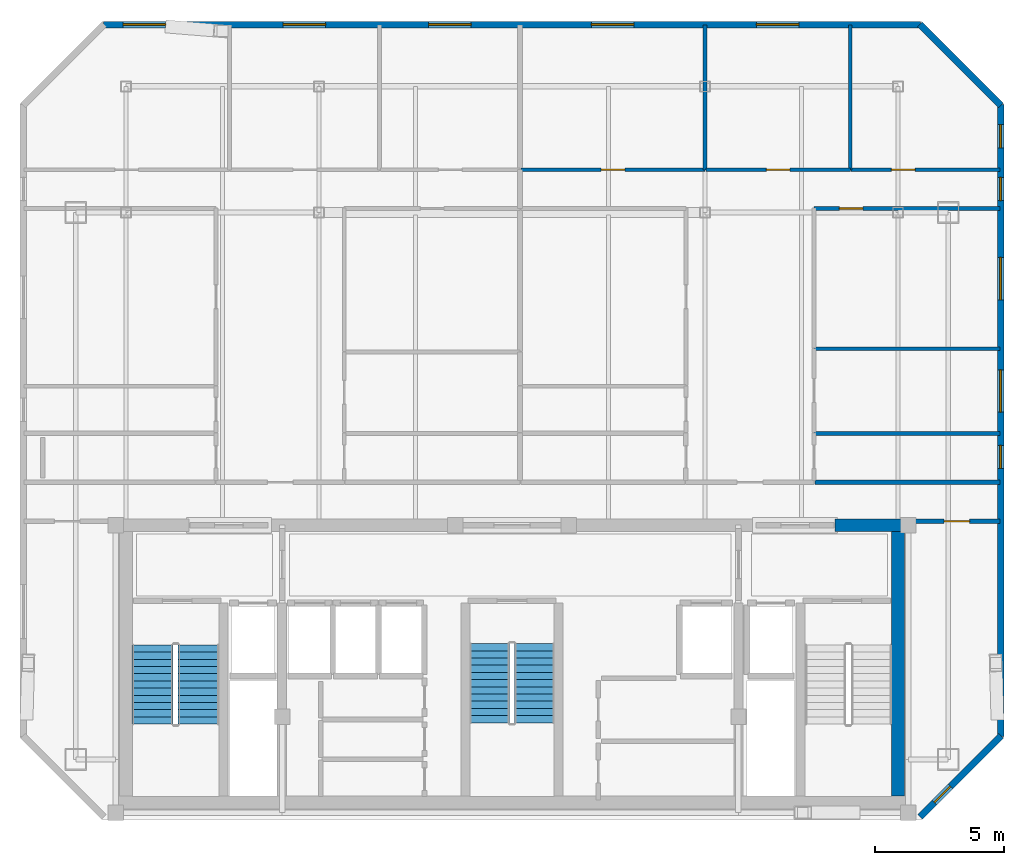
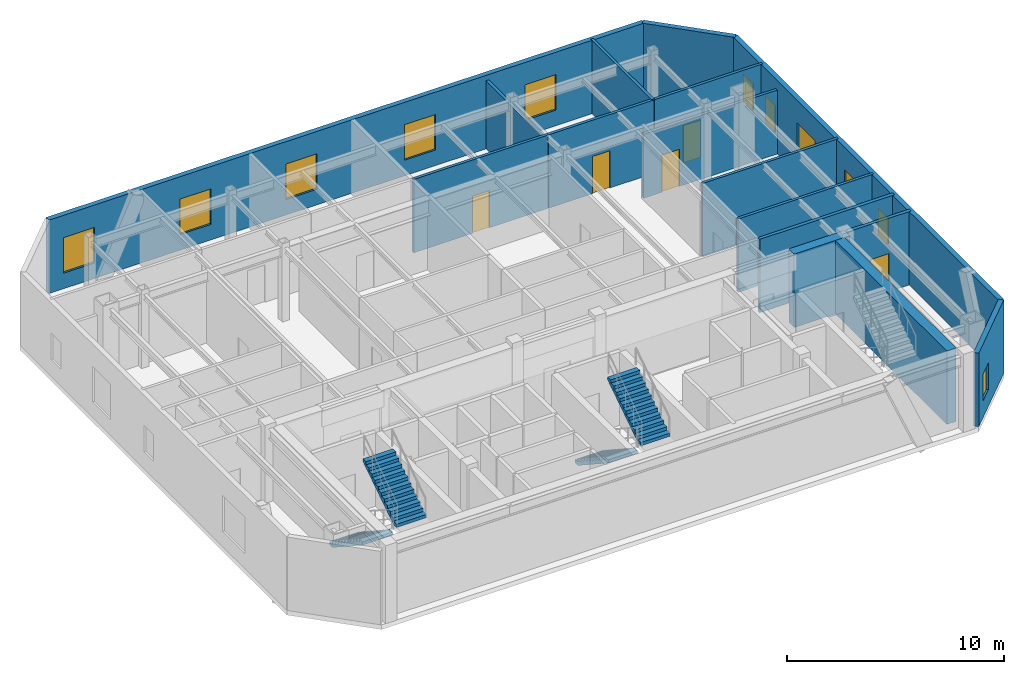
# One storey, part 5 of 7: 16 walls, 11 windows, 5 doors, 4 stair flights, 16 openings, 2 elements without a shape of their own.
"""IFC4 building model written with IfcOpenShell, lengths in metres."""

from ifc_helpers import new_model, si_unit, direction, frame, frame_2d, origin, place, context, subcontext, project, spatial, polyline, rectangle, outline, extrude, material, layer, layer_set, type_object, element, fill, aggregate, save


model = new_model("IFC4")

# Units and contexts
model_context = context("Model", 3, precision=1e-05, world=origin(), true_north=direction((0.0, 1.0)))
body_context = subcontext(model_context, "Body", "Model", "MODEL_VIEW")
ifc_project = project(units=[si_unit("LENGTHUNIT", "METRE"), si_unit("AREAUNIT", "SQUARE_METRE"), si_unit("VOLUMEUNIT", "CUBIC_METRE"), si_unit("PLANEANGLEUNIT", "RADIAN"), si_unit("MASSUNIT", "GRAM", prefix="KILO")], contexts=[model_context])

# Site, building, storey
site_placement = place(None, origin())
site = spatial("IfcSite", under=ifc_project, at=site_placement, CompositionType="ELEMENT")
building_placement = place(site_placement, origin())
building = spatial("IfcBuilding", under=site, at=building_placement, Name="Ventersveld Concourse Tower", CompositionType="ELEMENT")
storey_placement = place(building_placement, frame((0.0, 0.0, 353.449951171875)))
storey = spatial("IfcBuildingStorey", under=building, at=storey_placement, Name="L87", CompositionType="ELEMENT", Elevation=353.449951171875)

# Walls
ifc_material_1 = material(Name="Concrete C50/60", Category="concrete")
ifc_layer_1 = layer(ifc_material_1, 0.5)
ifc_layer_set_1 = layer_set([ifc_layer_1], Name="Concrete C50/60")
wall_type_1 = type_object("IfcWallType", Name="WL-CORE-500", PredefinedType="SHEAR", material=ifc_layer_set_1)
wall_1_placement = place(storey_placement, frame((43.75, 0.919921875, 0.0), z_axis=(0.0, 0.0, 1.0), x_axis=(0.0, 1.0, 0.0)))
element("IfcWall", 1, at=wall_1_placement, inside=storey, type_object=wall_type_1, Name="L87 Rear Core East Shear Wall", PredefinedType="SHEAR", context=body_context, shape_type="SweptSolid", body=[
    extrude(rectangle(XDim=10.530029296875, YDim=0.5, at=frame_2d((5.26513671875, 0.0))), origin(), (0.0, 0.0, 1.0), 4.14013671875),
])
wall_2_placement = place(storey_placement, frame((41.300048828125, 11.449951171875, 0.0), z_axis=(0.0, 0.0, 1.0), x_axis=(1.0, 0.0, 0.0)))
element("IfcWall", 2, at=wall_2_placement, inside=storey, type_object=wall_type_1, Name="L87 Rear Core North Shear Wall NE", PredefinedType="SHEAR", context=body_context, shape_type="SweptSolid", body=[
    extrude(rectangle(XDim=2.949951171875, YDim=0.5, at=frame_2d((1.47509765625, 0.0))), origin(), (0.0, 0.0, 1.0), 4.14013671875),
])

# Wall, opening, door
ifc_material_2 = material(Name="Fire-rated autoclaved aerated masonry blockwork", Category="masonry")
ifc_layer_2 = layer(ifc_material_2, 0.179931640625)
ifc_layer_set_2 = layer_set([ifc_layer_2], Name="Fire-rated autoclaved aerated masonry blockwork")
wall_type_2 = type_object("IfcWallType", Name="WL-CORR-180", PredefinedType="PARTITIONING", material=ifc_layer_set_2)
wall_3_placement = place(storey_placement, frame((44.35498046875, 11.60009765625, 0.0), z_axis=(0.0, 0.0, 1.0), x_axis=(1.0, 0.0, 0.0)))
wall_3 = element("IfcWall", 3, at=wall_3_placement, inside=storey, type_object=wall_type_2, Name="L87 Interior Partition SP-L87-SE-OFF-SP-L87-COR", PredefinedType="PARTITIONING", context=body_context, shape_type="SweptSolid", body=[
    extrude(rectangle(XDim=3.36279296875, YDim=0.179931640625, at=frame_2d((1.681396484375, 0.0))), origin(), (0.0, 0.0, 1.0), 4.14013671875),
])
opening_1_placement = place(wall_3_placement, frame((1.181396484375, 0.0, 0.0)))
opening_1 = element("IfcOpeningElement", 4, at=opening_1_placement, cuts=wall_3, Name="Opening FD3", PredefinedType="OPENING", context=body_context, shape_type="SweptSolid", body=[
    extrude(rectangle(XDim=1.0, YDim=2.14990234375, at=frame_2d((0.5, 1.074951171875))), frame((0.0, 0.10009765625, 0.0), z_axis=(0.0, -1.0, 0.0), x_axis=(1.0, 0.0, 0.0)), (0.0, 0.0, 1.0), 0.199951171875),
])
ifc_material_3 = material(Name="Solid-core hardwood veneer timber", Category="wood")
door_type_1 = type_object("IfcDoorType", Name="DR-FLAT-100", OperationType="NOTDEFINED", PredefinedType="DOOR", material=ifc_material_3)
door_1_placement = place(opening_1_placement, origin())
door_1 = element("IfcDoor", 5, at=door_1_placement, inside=storey, type_object=door_type_1, Name="L87 Interior Door SP-L87-SE-OFF to SP-L87-COR (D-L87-3878)", OperationType="SINGLE_SWING_RIGHT", OverallHeight=2.14990234375, OverallWidth=1.0, PredefinedType="DOOR", context=body_context, shape_type="SweptSolid", body=[
    extrude(rectangle(XDim=1.0, YDim=2.14990234375, at=frame_2d((0.5, 1.074951171875))), frame((0.0, 0.02490234375, 0.0), z_axis=(0.0, -1.0, 0.0), x_axis=(1.0, 0.0, 0.0)), (0.0, 0.0, 1.0), 0.050048828125),
])
fill(opening_1, door_1)

# Wall
wall_4_placement = place(storey_placement, frame((40.5205078125, 13.114990234375, 0.0), z_axis=(0.0, 0.0, 1.0), x_axis=(1.0, 0.0, 0.0)))
element("IfcWall", 6, at=wall_4_placement, inside=storey, type_object=wall_type_2, Name="L87 Interior Partition SP-L87-COR-SP-L87-87N2-KIT", PredefinedType="PARTITIONING", context=body_context, shape_type="SweptSolid", body=[
    extrude(rectangle(XDim=7.197265625, YDim=0.179931640625, at=frame_2d((3.5986328125, 0.0))), origin(), (0.0, 0.0, 1.0), 4.14013671875),
])

# Wall, opening, door
ifc_material_4 = material(Name="Autoclaved aerated masonry blockwork", Category="masonry")
ifc_layer_3 = layer(ifc_material_4, 0.14990234375)
ifc_layer_set_3 = layer_set([ifc_layer_3], Name="Autoclaved aerated masonry blockwork")
wall_type_3 = type_object("IfcWallType", Name="WL-INT-150", PredefinedType="PARTITIONING", material=ifc_layer_set_3)
wall_5_placement = place(storey_placement, frame((40.48046875, 23.76123046875, 0.0), z_axis=(0.0, 0.0, 1.0), x_axis=(1.0, 0.0, 0.0)))
wall_5 = element("IfcWall", 7, at=wall_5_placement, inside=storey, type_object=wall_type_3, Name="L87 Interior Partition SP-L87-87N2-LIV-SP-L87-87N2-DENS", PredefinedType="PARTITIONING", context=body_context, shape_type="SweptSolid", body=[
    extrude(rectangle(XDim=7.2373046875, YDim=0.14990234375, at=frame_2d((3.61865234375, 0.0))), origin(), (0.0, 0.0, 1.0), 3.60693359375),
])
opening_2_placement = place(wall_5_placement, frame((0.9873046875, 0.0, 0.0)))
opening_2 = element("IfcOpeningElement", 8, at=opening_2_placement, cuts=wall_5, Name="Opening ID1", PredefinedType="OPENING", context=body_context, shape_type="SweptSolid", body=[
    extrude(rectangle(XDim=0.919921875, YDim=2.10009765625, at=frame_2d((0.4599609375, 1.050048828125))), frame((0.0, 0.0849609375, 0.0), z_axis=(0.0, -1.0, 0.0), x_axis=(1.0, 0.0, 0.0)), (0.0, 0.0, 1.0), 0.169921875),
])
door_type_2 = type_object("IfcDoorType", Name="DR-ROOM-092", OperationType="NOTDEFINED", PredefinedType="DOOR", material=ifc_material_3)
door_2_placement = place(opening_2_placement, origin())
door_2 = element("IfcDoor", 9, at=door_2_placement, inside=storey, type_object=door_type_2, Name="L87 Interior Door SP-L87-87N2-LIV to SP-L87-87N2-DENS (D-L87-3895)", OperationType="SINGLE_SWING_LEFT", OverallHeight=2.10009765625, OverallWidth=0.919921875, PredefinedType="DOOR", context=body_context, shape_type="SweptSolid", body=[
    extrude(rectangle(XDim=0.919921875, YDim=2.10009765625, at=frame_2d((0.4599609375, 1.050048828125))), frame((0.0, 0.02490234375, 0.0), z_axis=(0.0, -1.0, 0.0), x_axis=(1.0, 0.0, 0.0)), (0.0, 0.0, 1.0), 0.050048828125),
])
fill(opening_2, door_2)

wall_6_placement = place(storey_placement, frame((29.09716796875, 25.26123046875, 0.0), z_axis=(0.0, 0.0, 1.0), x_axis=(1.0, 0.0, 0.0)))
wall_6 = element("IfcWall", 10, at=wall_6_placement, inside=storey, type_object=wall_type_3, Name="L87 Interior Partition SP-L87-87N2-LIV-SP-L87-87N2-BR1", PredefinedType="PARTITIONING", context=body_context, shape_type="SweptSolid", body=[
    extrude(rectangle(XDim=7.15771484375, YDim=0.14990234375, at=frame_2d((3.578857421875, 0.0))), origin(), (0.0, 0.0, 1.0), 4.14013671875),
])
opening_3_placement = place(wall_6_placement, frame((3.118896484375, 0.0, 0.0)))
opening_3 = element("IfcOpeningElement", 11, at=opening_3_placement, cuts=wall_6, Name="Opening ID1", PredefinedType="OPENING", context=body_context, shape_type="SweptSolid", body=[
    extrude(rectangle(XDim=0.919921875, YDim=2.10009765625, at=frame_2d((0.4599609375, 1.050048828125))), frame((0.0, 0.0849609375, 0.0), z_axis=(0.0, -1.0, 0.0), x_axis=(1.0, 0.0, 0.0)), (0.0, 0.0, 1.0), 0.169921875),
])
door_3_placement = place(opening_3_placement, origin())
door_3 = element("IfcDoor", 12, at=door_3_placement, inside=storey, type_object=door_type_2, Name="L87 Interior Door SP-L87-87N2-LIV to SP-L87-87N2-BR1 (D-L87-3896)", OperationType="SINGLE_SWING_RIGHT", OverallHeight=2.10009765625, OverallWidth=0.919921875, PredefinedType="DOOR", context=body_context, shape_type="SweptSolid", body=[
    extrude(rectangle(XDim=0.919921875, YDim=2.10009765625, at=frame_2d((0.4599609375, 1.050048828125))), frame((0.0, 0.02490234375, 0.0), z_axis=(0.0, -1.0, 0.0), x_axis=(1.0, 0.0, 0.0)), (0.0, 0.0, 1.0), 0.050048828125),
])
fill(opening_3, door_3)

wall_7_placement = place(storey_placement, frame((36.284912109375, 25.26123046875, 0.0), z_axis=(0.0, 0.0, 1.0), x_axis=(1.0, 0.0, 0.0)))
wall_7 = element("IfcWall", 13, at=wall_7_placement, inside=storey, type_object=wall_type_3, Name="L87 Interior Partition SP-L87-87N2-LIV-SP-L87-87N2-BR2", PredefinedType="PARTITIONING", context=body_context, shape_type="SweptSolid", body=[
    extrude(rectangle(XDim=5.611083984375, YDim=0.14990234375, at=frame_2d((2.8056640625, 0.0))), origin(), (0.0, 0.0, 1.0), 4.14013671875),
])
opening_4_placement = place(wall_7_placement, frame((2.345458984375, 0.0, 0.0)))
opening_4 = element("IfcOpeningElement", 14, at=opening_4_placement, cuts=wall_7, Name="Opening ID1", PredefinedType="OPENING", context=body_context, shape_type="SweptSolid", body=[
    extrude(rectangle(XDim=0.919921875, YDim=2.10009765625, at=frame_2d((0.4599609375, 1.050048828125))), frame((0.0, 0.0849609375, 0.0), z_axis=(0.0, -1.0, 0.0), x_axis=(1.0, 0.0, 0.0)), (0.0, 0.0, 1.0), 0.169921875),
])
door_4_placement = place(opening_4_placement, origin())
door_4 = element("IfcDoor", 15, at=door_4_placement, inside=storey, type_object=door_type_2, Name="L87 Interior Door SP-L87-87N2-LIV to SP-L87-87N2-BR2 (D-L87-3897)", OperationType="SINGLE_SWING_LEFT", OverallHeight=2.10009765625, OverallWidth=0.919921875, PredefinedType="DOOR", context=body_context, shape_type="SweptSolid", body=[
    extrude(rectangle(XDim=0.919921875, YDim=2.10009765625, at=frame_2d((0.4599609375, 1.050048828125))), frame((0.0, 0.02490234375, 0.0), z_axis=(0.0, -1.0, 0.0), x_axis=(1.0, 0.0, 0.0)), (0.0, 0.0, 1.0), 0.050048828125),
])
fill(opening_4, door_4)

wall_8_placement = place(storey_placement, frame((41.926025390625, 25.26123046875, 0.0), z_axis=(0.0, 0.0, 1.0), x_axis=(1.0, 0.0, 0.0)))
wall_8 = element("IfcWall", 16, at=wall_8_placement, inside=storey, type_object=wall_type_3, Name="L87 Interior Partition SP-L87-87N2-LIV-SP-L87-87N2-BR3", PredefinedType="PARTITIONING", context=body_context, shape_type="SweptSolid", body=[
    extrude(rectangle(XDim=5.791748046875, YDim=0.14990234375, at=frame_2d((2.89599609375, 0.0))), origin(), (0.0, 0.0, 1.0), 4.14013671875),
])
opening_5_placement = place(wall_8_placement, frame((1.567138671875, 0.0, 0.0)))
opening_5 = element("IfcOpeningElement", 17, at=opening_5_placement, cuts=wall_8, Name="Opening ID1", PredefinedType="OPENING", context=body_context, shape_type="SweptSolid", body=[
    extrude(rectangle(XDim=0.919921875, YDim=2.10009765625, at=frame_2d((0.4599609375, 1.050048828125))), frame((0.0, 0.0849609375, 0.0), z_axis=(0.0, -1.0, 0.0), x_axis=(1.0, 0.0, 0.0)), (0.0, 0.0, 1.0), 0.169921875),
])
door_5_placement = place(opening_5_placement, origin())
door_5 = element("IfcDoor", 18, at=door_5_placement, inside=storey, type_object=door_type_2, Name="L87 Interior Door SP-L87-87N2-LIV to SP-L87-87N2-BR3 (D-L87-3898)", OperationType="SINGLE_SWING_RIGHT", OverallHeight=2.10009765625, OverallWidth=0.919921875, PredefinedType="DOOR", context=body_context, shape_type="SweptSolid", body=[
    extrude(rectangle(XDim=0.919921875, YDim=2.10009765625, at=frame_2d((0.4599609375, 1.050048828125))), frame((0.0, 0.02490234375, 0.0), z_axis=(0.0, -1.0, 0.0), x_axis=(1.0, 0.0, 0.0)), (0.0, 0.0, 1.0), 0.050048828125),
])
fill(opening_5, door_5)

# Walls
for number, where, z_axis, x_axis, name in (
    (19, (40.48046875, 15.02001953125, 0.0), (0.0, 0.0, 1.0), (1.0, 0.0, 0.0), "L87 Interior Partition SP-L87-87N2-KIT-SP-L87-87N2-MEDR1"),
    (20, (40.48046875, 18.3076171875, 0.0), (0.0, 0.0, 1.0), (1.0, 0.0, 0.0), "L87 Interior Partition SP-L87-87N2-MEDR1-SP-L87-87N2-DENS"),
):
    element("IfcWall", number, at=place(storey_placement, frame(where, z_axis=z_axis, x_axis=x_axis)), inside=storey, type_object=wall_type_3, Name=name, PredefinedType="PARTITIONING", context=body_context, shape_type="SweptSolid", body=[
        extrude(rectangle(XDim=7.2373046875, YDim=0.14990234375, at=frame_2d((3.61865234375, 0.0))), origin(), (0.0, 0.0, 1.0), 4.14013671875),
    ])
wall_9_placement = place(storey_placement, frame((36.25, 25.256103515625, 0.0), z_axis=(0.0, 0.0, 1.0), x_axis=(0.0, 1.0, 0.0)))
element("IfcWall", 21, at=wall_9_placement, inside=storey, type_object=wall_type_3, Name="L87 Interior Partition SP-L87-87N2-BR1-SP-L87-87N2-BR2", PredefinedType="PARTITIONING", context=body_context, shape_type="SweptSolid", body=[
    extrude(rectangle(XDim=5.62548828125, YDim=0.14990234375, at=frame_2d((2.812744140625, 0.0))), origin(), (0.0, 0.0, 1.0), 3.836669921875),
])
wall_10_placement = place(storey_placement, frame((41.89111328125, 25.256103515625, 0.0), z_axis=(0.0, 0.0, 1.0), x_axis=(0.0, 1.0, 0.0)))
element("IfcWall", 22, at=wall_10_placement, inside=storey, type_object=wall_type_3, Name="L87 Interior Partition SP-L87-87N2-BR2-SP-L87-87N2-BR3", PredefinedType="PARTITIONING", context=body_context, shape_type="SweptSolid", body=[
    extrude(rectangle(XDim=5.62548828125, YDim=0.14990234375, at=frame_2d((2.812744140625, 0.0))), origin(), (0.0, 0.0, 1.0), 4.14013671875),
])

# Wall, opening, window
ifc_material_5 = material(Name="Precast concrete C45/55", Category="concrete")
ifc_layer_4 = layer(ifc_material_5, 0.260009765625)
ifc_layer_set_4 = layer_set([ifc_layer_4], Name="Precast concrete C45/55")
wall_type_4 = type_object("IfcWallType", Name="WL-PREC-260", PredefinedType="SOLIDWALL", material=ifc_layer_set_4)
wall_11_placement = place(storey_placement, frame((44.603515625, 0.1201171875, 0.0), z_axis=(0.0, 0.0, 1.0), x_axis=(0.707106781187, 0.707106781187, 0.0)))
wall_11 = element("IfcWall", 23, at=wall_11_placement, inside=storey, type_object=wall_type_4, Name="L87 Highveld Precast Facade Wall E02", PredefinedType="SOLIDWALL", context=body_context, shape_type="SweptSolid", body=[
    extrude(rectangle(XDim=4.445556640625, YDim=0.260009765625, at=frame_2d((2.22265625, 0.0))), origin(), (0.0, 0.0, 1.0), 4.14013671875),
])
opening_6_placement = place(wall_11_placement, frame((0.780029296875, 0.0, 0.949951171875)))
opening_6 = element("IfcOpeningElement", 24, at=opening_6_placement, cuts=wall_11, Name="Opening W4", PredefinedType="OPENING", context=body_context, shape_type="SweptSolid", body=[
    extrude(rectangle(XDim=0.89990234375, YDim=1.5, at=frame_2d((0.449951171875, 0.75))), frame((0.0, 0.14013671875, 0.0), z_axis=(0.0, -1.0, 0.0), x_axis=(1.0, 0.0, 0.0)), (0.0, 0.0, 1.0), 0.280029296875),
])
ifc_material_6 = material(Name="Tempered acoustic Low-E IGU", Category="glass")
window_type_1 = type_object("IfcWindowType", Name="WIN-090x150", PartitioningType="SINGLE_PANEL", PredefinedType="WINDOW", material=ifc_material_6)
window_1_placement = place(opening_6_placement, origin())
window_1 = element("IfcWindow", 25, at=window_1_placement, inside=storey, type_object=window_type_1, Name="L87 Punched Low-E Window W-1216", OverallHeight=1.5, OverallWidth=0.89990234375, PartitioningType="SINGLE_PANEL", PredefinedType="WINDOW", context=body_context, shape_type="SweptSolid", body=[
    extrude(rectangle(XDim=0.89990234375, YDim=1.5, at=frame_2d((0.449951171875, 0.75))), frame((0.0, 0.030029296875, 0.0), z_axis=(0.0, -1.0, 0.0), x_axis=(1.0, 0.0, 0.0)), (0.0, 0.0, 1.0), 0.06005859375),
])
fill(opening_6, window_1)

# Wall, openings, windows
wall_12_placement = place(storey_placement, frame((47.7373046875, 3.239990234375, 0.0), z_axis=(0.0, 0.0, 1.0), x_axis=(0.0, 1.0, 0.0)))
wall_12 = element("IfcWall", 26, at=wall_12_placement, inside=storey, type_object=wall_type_4, Name="L87 Highveld Precast Facade Wall E03", PredefinedType="SOLIDWALL", context=body_context, shape_type="SweptSolid", body=[
    extrude(rectangle(XDim=24.55126953125, YDim=0.260009765625, at=frame_2d((12.275634765625, 0.0))), origin(), (0.0, 0.0, 1.0), 4.14013671875),
])
opening_7_placement = place(wall_12_placement, frame((20.8212890625, 0.0, 0.949951171875)))
opening_7 = element("IfcOpeningElement", 27, at=opening_7_placement, cuts=wall_12, Name="Opening W4", PredefinedType="OPENING", context=body_context, shape_type="SweptSolid", body=[
    extrude(rectangle(XDim=0.89990234375, YDim=1.5, at=frame_2d((0.449951171875, 0.75))), frame((0.0, 0.14013671875, 0.0), z_axis=(0.0, -1.0, 0.0), x_axis=(1.0, 0.0, 0.0)), (0.0, 0.0, 1.0), 0.280029296875),
])
opening_8_placement = place(wall_12_placement, frame((10.4150390625, 0.0, 0.949951171875)))
opening_8 = element("IfcOpeningElement", 28, at=opening_8_placement, cuts=wall_12, Name="Opening W4", PredefinedType="OPENING", context=body_context, shape_type="SweptSolid", body=[
    extrude(rectangle(XDim=0.89990234375, YDim=1.5, at=frame_2d((0.449951171875, 0.75))), frame((0.0, 0.14013671875, 0.0), z_axis=(0.0, -1.0, 0.0), x_axis=(1.0, 0.0, 0.0)), (0.0, 0.0, 1.0), 0.280029296875),
])
opening_9_placement = place(wall_12_placement, frame((12.598876953125, 0.0, 0.8798828125)))
opening_9 = element("IfcOpeningElement", 29, at=opening_9_placement, cuts=wall_12, Name="Opening W6", PredefinedType="OPENING", context=body_context, shape_type="SweptSolid", body=[
    extrude(rectangle(XDim=1.64990234375, YDim=2.0, at=frame_2d((0.824951171875, 1.0))), frame((0.0, 0.14013671875, 0.0), z_axis=(0.0, -1.0, 0.0), x_axis=(1.0, 0.0, 0.0)), (0.0, 0.0, 1.0), 0.280029296875),
])
opening_10_placement = place(wall_12_placement, frame((16.969482421875, 0.0, 0.8798828125)))
opening_10 = element("IfcOpeningElement", 30, at=opening_10_placement, cuts=wall_12, Name="Opening W6", PredefinedType="OPENING", context=body_context, shape_type="SweptSolid", body=[
    extrude(rectangle(XDim=1.64990234375, YDim=2.0, at=frame_2d((0.824951171875, 1.0))), frame((0.0, 0.14013671875, 0.0), z_axis=(0.0, -1.0, 0.0), x_axis=(1.0, 0.0, 0.0)), (0.0, 0.0, 1.0), 0.280029296875),
])
opening_11_placement = place(wall_12_placement, frame((22.87109375, 0.0, 0.949951171875)))
opening_11 = element("IfcOpeningElement", 31, at=opening_11_placement, cuts=wall_12, Name="Opening W4", PredefinedType="OPENING", context=body_context, shape_type="SweptSolid", body=[
    extrude(rectangle(XDim=0.89990234375, YDim=1.5, at=frame_2d((0.449951171875, 0.75))), frame((0.0, 0.14013671875, 0.0), z_axis=(0.0, -1.0, 0.0), x_axis=(1.0, 0.0, 0.0)), (0.0, 0.0, 1.0), 0.280029296875),
])
window_2_placement = place(opening_7_placement, origin())
window_2 = element("IfcWindow", 32, at=window_2_placement, inside=storey, type_object=window_type_1, Name="L87 Punched Low-E Window W-1223", OverallHeight=1.5, OverallWidth=0.89990234375, PartitioningType="SINGLE_PANEL", PredefinedType="WINDOW", context=body_context, shape_type="SweptSolid", body=[
    extrude(rectangle(XDim=0.89990234375, YDim=1.5, at=frame_2d((0.449951171875, 0.75))), frame((0.0, 0.030029296875, 0.0), z_axis=(0.0, -1.0, 0.0), x_axis=(1.0, 0.0, 0.0)), (0.0, 0.0, 1.0), 0.06005859375),
])
fill(opening_7, window_2)
window_3_placement = place(opening_8_placement, origin())
window_3 = element("IfcWindow", 33, at=window_3_placement, inside=storey, type_object=window_type_1, Name="L87 Punched Low-E Window W-1224", OverallHeight=1.5, OverallWidth=0.89990234375, PartitioningType="SINGLE_PANEL", PredefinedType="WINDOW", context=body_context, shape_type="SweptSolid", body=[
    extrude(rectangle(XDim=0.89990234375, YDim=1.5, at=frame_2d((0.449951171875, 0.75))), frame((0.0, 0.030029296875, 0.0), z_axis=(0.0, -1.0, 0.0), x_axis=(1.0, 0.0, 0.0)), (0.0, 0.0, 1.0), 0.06005859375),
])
fill(opening_8, window_3)
window_4_placement = place(opening_11_placement, origin())
window_4 = element("IfcWindow", 34, at=window_4_placement, inside=storey, type_object=window_type_1, Name="L87 Punched Low-E Window W-1229", OverallHeight=1.5, OverallWidth=0.89990234375, PartitioningType="SINGLE_PANEL", PredefinedType="WINDOW", context=body_context, shape_type="SweptSolid", body=[
    extrude(rectangle(XDim=0.89990234375, YDim=1.5, at=frame_2d((0.449951171875, 0.75))), frame((0.0, 0.030029296875, 0.0), z_axis=(0.0, -1.0, 0.0), x_axis=(1.0, 0.0, 0.0)), (0.0, 0.0, 1.0), 0.06005859375),
])
fill(opening_11, window_4)
window_type_2 = type_object("IfcWindowType", Name="WIN-165x200", PartitioningType="SINGLE_PANEL", PredefinedType="WINDOW", material=ifc_material_6)
window_5_placement = place(opening_9_placement, origin())
window_5 = element("IfcWindow", 35, at=window_5_placement, inside=storey, type_object=window_type_2, Name="L87 Punched Low-E Window W-1225", OverallHeight=2.0, OverallWidth=1.64990234375, PartitioningType="SINGLE_PANEL", PredefinedType="WINDOW", context=body_context, shape_type="SweptSolid", body=[
    extrude(rectangle(XDim=1.64990234375, YDim=2.0, at=frame_2d((0.824951171875, 1.0))), frame((0.0, 0.030029296875, 0.0), z_axis=(0.0, -1.0, 0.0), x_axis=(1.0, 0.0, 0.0)), (0.0, 0.0, 1.0), 0.06005859375),
])
fill(opening_9, window_5)
window_6_placement = place(opening_10_placement, origin())
window_6 = element("IfcWindow", 36, at=window_6_placement, inside=storey, type_object=window_type_2, Name="L87 Punched Low-E Window W-1226", OverallHeight=2.0, OverallWidth=1.64990234375, PartitioningType="SINGLE_PANEL", PredefinedType="WINDOW", context=body_context, shape_type="SweptSolid", body=[
    extrude(rectangle(XDim=1.64990234375, YDim=2.0, at=frame_2d((0.824951171875, 1.0))), frame((0.0, 0.030029296875, 0.0), z_axis=(0.0, -1.0, 0.0), x_axis=(1.0, 0.0, 0.0)), (0.0, 0.0, 1.0), 0.06005859375),
])
fill(opening_10, window_6)

# Wall
wall_13_placement = place(storey_placement, frame((47.7470703125, 27.767578125, 0.0), z_axis=(0.0, 0.0, 1.0), x_axis=(-0.707134240044, 0.707079321262, 0.0)))
element("IfcWall", 37, at=wall_13_placement, inside=storey, type_object=wall_type_4, Name="L87 Highveld Precast Facade Wall E04", PredefinedType="SOLIDWALL", context=body_context, shape_type="SweptSolid", body=[
    extrude(rectangle(XDim=4.445556640625, YDim=0.260009765625, at=frame_2d((2.22265625, 0.0))), origin(), (0.0, 0.0, 1.0), 4.14013671875),
])

# Wall, openings, windows
wall_14_placement = place(storey_placement, frame((44.627197265625, 30.901123046875, 0.0), z_axis=(0.0, 0.0, 1.0), x_axis=(-1.0, 0.0, 0.0)))
wall_14 = element("IfcWall", 38, at=wall_14_placement, inside=storey, type_object=wall_type_4, Name="L87 Highveld Precast Facade Wall E05", PredefinedType="SOLIDWALL", context=body_context, shape_type="SweptSolid", body=[
    extrude(rectangle(XDim=31.75439453125, YDim=0.260009765625, at=frame_2d((15.877197265625, 0.0))), origin(), (0.0, 0.0, 1.0), 4.14013671875),
])
opening_12_placement = place(wall_14_placement, frame((29.33447265625, 0.0, 0.8798828125)))
opening_12 = element("IfcOpeningElement", 39, at=opening_12_placement, cuts=wall_14, Name="Opening W6", PredefinedType="OPENING", context=body_context, shape_type="SweptSolid", body=[
    extrude(rectangle(XDim=1.64990234375, YDim=2.0, at=frame_2d((0.824951171875, 1.0))), frame((0.0, 0.14013671875, 0.0), z_axis=(0.0, -1.0, 0.0), x_axis=(1.0, 0.0, 0.0)), (0.0, 0.0, 1.0), 0.280029296875),
])
opening_13_placement = place(wall_14_placement, frame((23.1171875, 0.0, 0.8798828125)))
opening_13 = element("IfcOpeningElement", 40, at=opening_13_placement, cuts=wall_14, Name="Opening W6", PredefinedType="OPENING", context=body_context, shape_type="SweptSolid", body=[
    extrude(rectangle(XDim=1.64990234375, YDim=2.0, at=frame_2d((0.824951171875, 1.0))), frame((0.0, 0.14013671875, 0.0), z_axis=(0.0, -1.0, 0.0), x_axis=(1.0, 0.0, 0.0)), (0.0, 0.0, 1.0), 0.280029296875),
])
opening_14_placement = place(wall_14_placement, frame((17.469482421875, 0.0, 0.8798828125)))
opening_14 = element("IfcOpeningElement", 41, at=opening_14_placement, cuts=wall_14, Name="Opening W6", PredefinedType="OPENING", context=body_context, shape_type="SweptSolid", body=[
    extrude(rectangle(XDim=1.64990234375, YDim=2.0, at=frame_2d((0.824951171875, 1.0))), frame((0.0, 0.14013671875, 0.0), z_axis=(0.0, -1.0, 0.0), x_axis=(1.0, 0.0, 0.0)), (0.0, 0.0, 1.0), 0.280029296875),
])
opening_15_placement = place(wall_14_placement, frame((11.146240234375, 0.0, 0.8798828125)))
opening_15 = element("IfcOpeningElement", 42, at=opening_15_placement, cuts=wall_14, Name="Opening W6", PredefinedType="OPENING", context=body_context, shape_type="SweptSolid", body=[
    extrude(rectangle(XDim=1.64990234375, YDim=2.0, at=frame_2d((0.824951171875, 1.0))), frame((0.0, 0.14013671875, 0.0), z_axis=(0.0, -1.0, 0.0), x_axis=(1.0, 0.0, 0.0)), (0.0, 0.0, 1.0), 0.280029296875),
])
opening_16_placement = place(wall_14_placement, frame((4.731689453125, 0.0, 0.8798828125)))
opening_16 = element("IfcOpeningElement", 43, at=opening_16_placement, cuts=wall_14, Name="Opening W6", PredefinedType="OPENING", context=body_context, shape_type="SweptSolid", body=[
    extrude(rectangle(XDim=1.64990234375, YDim=2.0, at=frame_2d((0.824951171875, 1.0))), frame((0.0, 0.14013671875, 0.0), z_axis=(0.0, -1.0, 0.0), x_axis=(1.0, 0.0, 0.0)), (0.0, 0.0, 1.0), 0.280029296875),
])
window_7_placement = place(opening_12_placement, origin())
window_7 = element("IfcWindow", 44, at=window_7_placement, inside=storey, type_object=window_type_2, Name="L87 Punched Low-E Window W-1220", OverallHeight=2.0, OverallWidth=1.64990234375, PartitioningType="SINGLE_PANEL", PredefinedType="WINDOW", context=body_context, shape_type="SweptSolid", body=[
    extrude(rectangle(XDim=1.64990234375, YDim=2.0, at=frame_2d((0.824951171875, 1.0))), frame((0.0, 0.030029296875, 0.0), z_axis=(0.0, -1.0, 0.0), x_axis=(1.0, 0.0, 0.0)), (0.0, 0.0, 1.0), 0.06005859375),
])
fill(opening_12, window_7)
window_8_placement = place(opening_13_placement, origin())
window_8 = element("IfcWindow", 45, at=window_8_placement, inside=storey, type_object=window_type_2, Name="L87 Punched Low-E Window W-1221", OverallHeight=2.0, OverallWidth=1.64990234375, PartitioningType="SINGLE_PANEL", PredefinedType="WINDOW", context=body_context, shape_type="SweptSolid", body=[
    extrude(rectangle(XDim=1.64990234375, YDim=2.0, at=frame_2d((0.824951171875, 1.0))), frame((0.0, 0.030029296875, 0.0), z_axis=(0.0, -1.0, 0.0), x_axis=(1.0, 0.0, 0.0)), (0.0, 0.0, 1.0), 0.06005859375),
])
fill(opening_13, window_8)
window_9_placement = place(opening_14_placement, origin())
window_9 = element("IfcWindow", 46, at=window_9_placement, inside=storey, type_object=window_type_2, Name="L87 Punched Low-E Window W-1222", OverallHeight=2.0, OverallWidth=1.64990234375, PartitioningType="SINGLE_PANEL", PredefinedType="WINDOW", context=body_context, shape_type="SweptSolid", body=[
    extrude(rectangle(XDim=1.64990234375, YDim=2.0, at=frame_2d((0.824951171875, 1.0))), frame((0.0, 0.030029296875, 0.0), z_axis=(0.0, -1.0, 0.0), x_axis=(1.0, 0.0, 0.0)), (0.0, 0.0, 1.0), 0.06005859375),
])
fill(opening_14, window_9)
window_10_placement = place(opening_15_placement, origin())
window_10 = element("IfcWindow", 47, at=window_10_placement, inside=storey, type_object=window_type_2, Name="L87 Punched Low-E Window W-1227", OverallHeight=2.0, OverallWidth=1.64990234375, PartitioningType="SINGLE_PANEL", PredefinedType="WINDOW", context=body_context, shape_type="SweptSolid", body=[
    extrude(rectangle(XDim=1.64990234375, YDim=2.0, at=frame_2d((0.824951171875, 1.0))), frame((0.0, 0.030029296875, 0.0), z_axis=(0.0, -1.0, 0.0), x_axis=(1.0, 0.0, 0.0)), (0.0, 0.0, 1.0), 0.06005859375),
])
fill(opening_15, window_10)
window_11_placement = place(opening_16_placement, origin())
window_11 = element("IfcWindow", 48, at=window_11_placement, inside=storey, type_object=window_type_2, Name="L87 Punched Low-E Window W-1228", OverallHeight=2.0, OverallWidth=1.64990234375, PartitioningType="SINGLE_PANEL", PredefinedType="WINDOW", context=body_context, shape_type="SweptSolid", body=[
    extrude(rectangle(XDim=1.64990234375, YDim=2.0, at=frame_2d((0.824951171875, 1.0))), frame((0.0, 0.030029296875, 0.0), z_axis=(0.0, -1.0, 0.0), x_axis=(1.0, 0.0, 0.0)), (0.0, 0.0, 1.0), 0.06005859375),
])
fill(opening_16, window_11)

# Stair, stair flights
stair_type_1 = type_object("IfcStairType", Name="ST-DOG-155", PredefinedType="HALF_TURN_STAIR", material=ifc_material_1)
stair_1_placement = place(storey_placement, origin())
stair_1 = element("IfcStair", 49, at=stair_1_placement, inside=storey, type_object=stair_type_1, Name="L87 Protected Central Core Escape Stair ST-03", PredefinedType="HALF_TURN_STAIR")
stair_flight_type_1 = type_object("IfcStairFlightType", Name="STF-RC-155", PredefinedType="STRAIGHT", material=ifc_material_1)
stair_flight_1_placement = place(storey_placement, frame((27.875, 6.85009765625, 0.0), z_axis=(0.0, 0.0, 1.0), x_axis=(0.0, -1.0, 0.0)))
stair_flight_1 = element("IfcStairFlight", 50, at=stair_flight_1_placement, type_object=stair_flight_type_1, Name="ST-03 flight 1", NumberOfRisers=12, NumberOfTreads=11, PredefinedType="STRAIGHT", RiserHeight=0.183333333, TreadLength=0.28, context=body_context, shape_type="SweptSolid", body=[
    extrude(outline(polyline([(0.0, 0.0), (0.0, 0.183349609375), (0.280029296875, 0.183349609375), (0.280029296875, 0.36669921875), (0.56005859375, 0.36669921875), (0.56005859375, 0.550048828125), (0.840087890625, 0.550048828125), (0.840087890625, 0.7333984375), (1.1201171875, 0.7333984375), (1.1201171875, 0.916748046875), (1.39990234375, 0.916748046875), (1.39990234375, 1.10009765625), (1.679931640625, 1.10009765625), (1.679931640625, 1.283447265625), (1.9599609375, 1.283447265625), (1.9599609375, 1.466552734375), (2.239990234375, 1.466552734375), (2.239990234375, 1.64990234375), (2.52001953125, 1.64990234375), (2.52001953125, 1.833251953125), (2.800048828125, 1.833251953125), (2.800048828125, 2.0166015625), (3.080078125, 2.0166015625), (3.080078125, 2.199951171875), (3.080078125, 1.83740234375), (0.273681640625, 0.0), (0.0, 0.0)])), frame((0.0, 0.77490234375, 0.0), z_axis=(0.0, -1.0, 0.0), x_axis=(1.0, 0.0, 0.0)), (0.0, 0.0, 1.0), 1.550048828125),
])
stair_flight_2_placement = place(storey_placement, frame((29.625, 3.77001953125, 2.199951171875), z_axis=(0.0, 0.0, 1.0), x_axis=(0.0, 1.0, 0.0)))
stair_flight_2 = element("IfcStairFlight", 51, at=stair_flight_2_placement, type_object=stair_flight_type_1, Name="ST-03 flight 2", NumberOfRisers=12, NumberOfTreads=11, PredefinedType="STRAIGHT", RiserHeight=0.183333333, TreadLength=0.28, context=body_context, shape_type="SweptSolid", body=[
    extrude(outline(polyline([(0.0, 0.0), (0.0, 0.183349609375), (0.280029296875, 0.183349609375), (0.280029296875, 0.36669921875), (0.56005859375, 0.36669921875), (0.56005859375, 0.550048828125), (0.840087890625, 0.550048828125), (0.840087890625, 0.7333984375), (1.1201171875, 0.7333984375), (1.1201171875, 0.916748046875), (1.39990234375, 0.916748046875), (1.39990234375, 1.10009765625), (1.679931640625, 1.10009765625), (1.679931640625, 1.283447265625), (1.9599609375, 1.283447265625), (1.9599609375, 1.466552734375), (2.239990234375, 1.466552734375), (2.239990234375, 1.64990234375), (2.52001953125, 1.64990234375), (2.52001953125, 1.833251953125), (2.800048828125, 1.833251953125), (2.800048828125, 2.0166015625), (3.080078125, 2.0166015625), (3.080078125, 2.199951171875), (3.080078125, 1.83740234375), (0.273681640625, 0.0), (0.0, 0.0)])), frame((0.0, 0.77490234375, 0.0), z_axis=(0.0, -1.0, 0.0), x_axis=(1.0, 0.0, 0.0)), (0.0, 0.0, 1.0), 1.550048828125),
])
aggregate(stair_1, [stair_flight_1, stair_flight_2])

stair_type_2 = type_object("IfcStairType", Name="ST-DOG-160", PredefinedType="HALF_TURN_STAIR", material=ifc_material_1)
stair_2_placement = place(storey_placement, origin())
stair_2 = element("IfcStair", 52, at=stair_2_placement, inside=storey, type_object=stair_type_2, Name="L87 Protected Tower Escape Stair ST-01", PredefinedType="HALF_TURN_STAIR")
stair_flight_type_2 = type_object("IfcStairFlightType", Name="STF-RC-160", PredefinedType="STRAIGHT", material=ifc_material_1)
stair_flight_3_placement = place(storey_placement, frame((14.780029296875, 6.800048828125, 0.0), z_axis=(0.0, 0.0, 1.0), x_axis=(0.0, -1.0, 0.0)))
stair_flight_3 = element("IfcStairFlight", 53, at=stair_flight_3_placement, type_object=stair_flight_type_2, Name="ST-01 flight 1", NumberOfRisers=12, NumberOfTreads=11, PredefinedType="STRAIGHT", RiserHeight=0.183333333, TreadLength=0.28, context=body_context, shape_type="SweptSolid", body=[
    extrude(outline(polyline([(0.0, 0.0), (0.0, 0.183349609375), (0.280029296875, 0.183349609375), (0.280029296875, 0.36669921875), (0.56005859375, 0.36669921875), (0.56005859375, 0.550048828125), (0.840087890625, 0.550048828125), (0.840087890625, 0.7333984375), (1.1201171875, 0.7333984375), (1.1201171875, 0.916748046875), (1.39990234375, 0.916748046875), (1.39990234375, 1.10009765625), (1.679931640625, 1.10009765625), (1.679931640625, 1.283447265625), (1.9599609375, 1.283447265625), (1.9599609375, 1.466552734375), (2.239990234375, 1.466552734375), (2.239990234375, 1.64990234375), (2.52001953125, 1.64990234375), (2.52001953125, 1.833251953125), (2.800048828125, 1.833251953125), (2.800048828125, 2.0166015625), (3.080078125, 2.0166015625), (3.080078125, 2.199951171875), (3.080078125, 1.83740234375), (0.273681640625, 0.0), (0.0, 0.0)])), frame((0.0, 0.800048828125, 0.0), z_axis=(0.0, -1.0, 0.0), x_axis=(1.0, 0.0, 0.0)), (0.0, 0.0, 1.0), 1.60009765625),
])
stair_flight_4_placement = place(storey_placement, frame((16.580078125, 3.719970703125, 2.199951171875), z_axis=(0.0, 0.0, 1.0), x_axis=(0.0, 1.0, 0.0)))
stair_flight_4 = element("IfcStairFlight", 54, at=stair_flight_4_placement, type_object=stair_flight_type_2, Name="ST-01 flight 2", NumberOfRisers=12, NumberOfTreads=11, PredefinedType="STRAIGHT", RiserHeight=0.183333333, TreadLength=0.28, context=body_context, shape_type="SweptSolid", body=[
    extrude(outline(polyline([(0.0, 0.0), (0.0, 0.183349609375), (0.280029296875, 0.183349609375), (0.280029296875, 0.36669921875), (0.56005859375, 0.36669921875), (0.56005859375, 0.550048828125), (0.840087890625, 0.550048828125), (0.840087890625, 0.7333984375), (1.1201171875, 0.7333984375), (1.1201171875, 0.916748046875), (1.39990234375, 0.916748046875), (1.39990234375, 1.10009765625), (1.679931640625, 1.10009765625), (1.679931640625, 1.283447265625), (1.9599609375, 1.283447265625), (1.9599609375, 1.466552734375), (2.239990234375, 1.466552734375), (2.239990234375, 1.64990234375), (2.52001953125, 1.64990234375), (2.52001953125, 1.833251953125), (2.800048828125, 1.833251953125), (2.800048828125, 2.0166015625), (3.080078125, 2.0166015625), (3.080078125, 2.199951171875), (3.080078125, 1.83740234375), (0.273681640625, 0.0), (0.0, 0.0)])), frame((0.0, 0.800048828125, 0.0), z_axis=(0.0, -1.0, 0.0), x_axis=(1.0, 0.0, 0.0)), (0.0, 0.0, 1.0), 1.60009765625),
])
aggregate(stair_2, [stair_flight_3, stair_flight_4])

save(model, "model.ifc")
